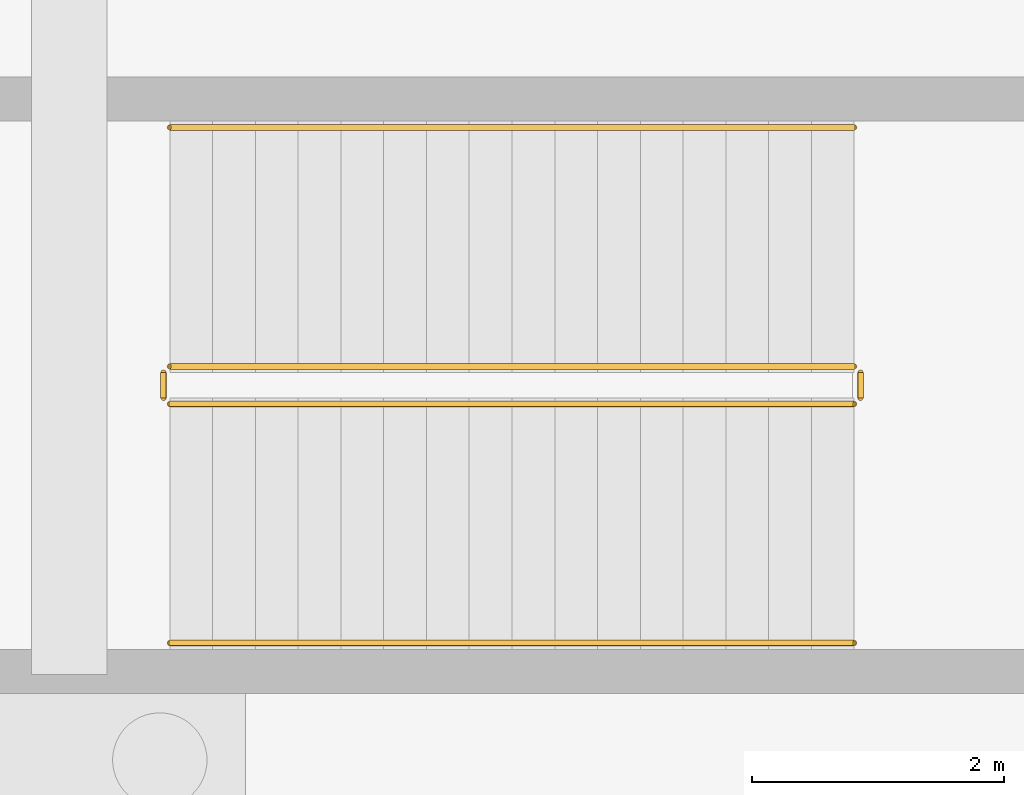
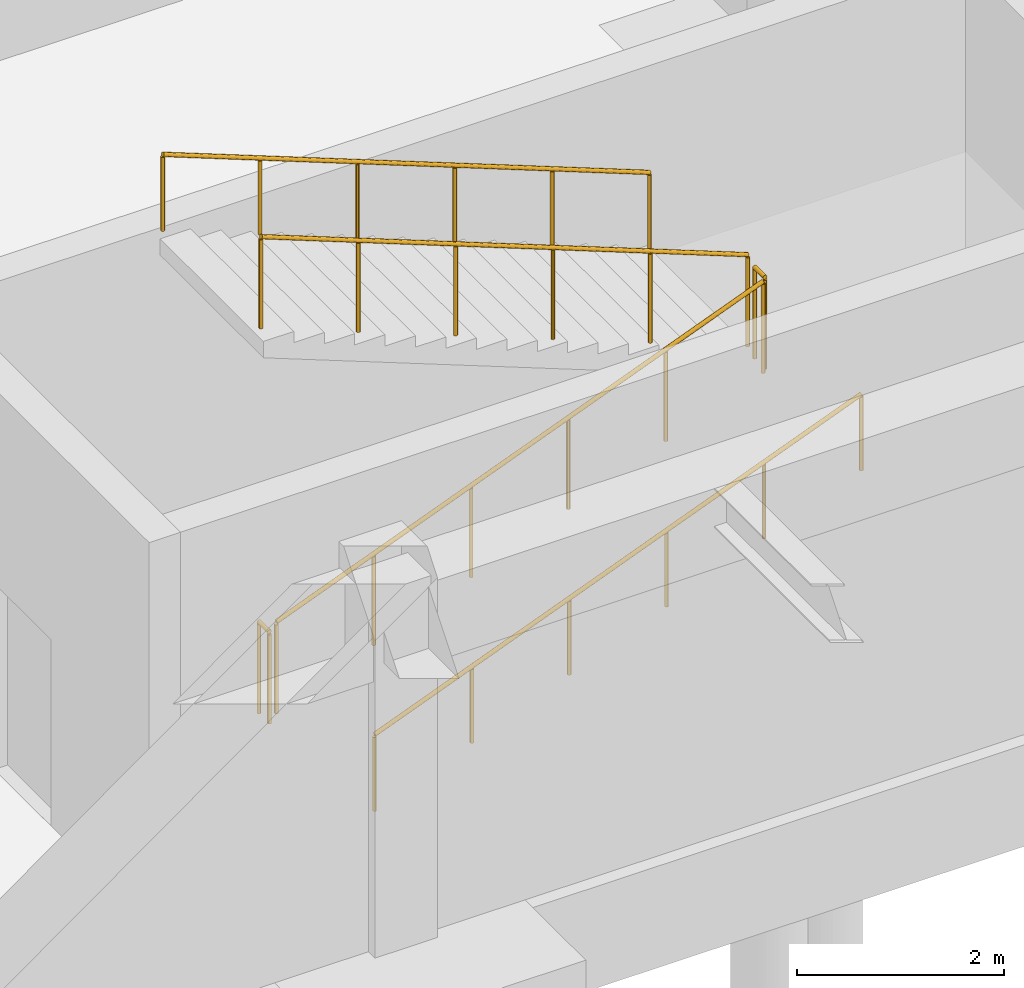
# One storey, part 25 of 33: 6 railings.
"""IFC4 building model written with IfcOpenShell, lengths in metres."""

from ifc_helpers import new_model, si_unit, direction, frame, origin, origin_2d, place, context, subcontext, project, spatial, circle, extrude, material, type_object, element, save


model = new_model("IFC4")

# Units and contexts
model_context = context("Model", 3, precision=1e-05, world=origin(), true_north=direction((0.0, 1.0)))
body_context = subcontext(model_context, "Body", "Model", "MODEL_VIEW")
ifc_project = project(units=[si_unit("LENGTHUNIT", "METRE"), si_unit("AREAUNIT", "SQUARE_METRE"), si_unit("VOLUMEUNIT", "CUBIC_METRE"), si_unit("PLANEANGLEUNIT", "RADIAN"), si_unit("MASSUNIT", "GRAM", prefix="KILO")], contexts=[model_context])

# Site, building, storey
site_placement = place(None, origin())
site = spatial("IfcSite", under=ifc_project, at=site_placement, CompositionType="ELEMENT")
building_placement = place(site_placement, origin())
building = spatial("IfcBuilding", under=site, at=building_placement, Name="Veldera Park Congress Hotel", CompositionType="ELEMENT")
storey_placement = place(building_placement, frame((0.0, 0.0, -4.5)))
storey = spatial("IfcBuildingStorey", under=building, at=storey_placement, Name="B1", CompositionType="ELEMENT", Elevation=-4.5)

# Railings
ifc_material = material(Name="Steel ASTM A992 Gr.50", Category="steel")
railing_type_1 = type_object("IfcRailingType", Name="GRD-ST110", PredefinedType="GUARDRAIL", material=ifc_material)
railing_1_placement = place(storey_placement, frame((-55.800048828125, -48.64990234375, 0.13232421875)))
element("IfcRailing", 1, at=railing_1_placement, inside=storey, type_object=railing_type_1, Name="B1 ST8 stair guard 1", PredefinedType="GUARDRAIL", context=body_context, shape_type="SweptSolid", body=[
    extrude(circle(Radius=0.02392578125, at=origin_2d()), frame((0.0, 0.0, 1.076171875), z_axis=(0.93188060822, 0.0, 0.362765119635), x_axis=(0.0, 1.0, 0.0)), (0.0, 0.0, 1.0), 5.837646484375),
    extrude(circle(Radius=0.02099609375, at=origin_2d()), origin(), (0.0, 0.0, 1.0), 1.052001953125),
    extrude(circle(Radius=0.02099609375, at=origin_2d()), frame((1.087890625, 0.0, 0.423583984375)), (0.0, 0.0, 1.0), 1.052001953125),
    extrude(circle(Radius=0.02099609375, at=origin_2d()), frame((2.176025390625, 0.0, 0.84716796875)), (0.0, 0.0, 1.0), 1.052001953125),
    extrude(circle(Radius=0.02099609375, at=origin_2d()), frame((3.263916015625, 0.0, 1.2705078125)), (0.0, 0.0, 1.0), 1.052001953125),
    extrude(circle(Radius=0.02099609375, at=origin_2d()), frame((4.35205078125, 0.0, 1.694091796875)), (0.0, 0.0, 1.0), 1.052001953125),
    extrude(circle(Radius=0.02099609375, at=origin_2d()), frame((5.43994140625, 0.0, 2.11767578125)), (0.0, 0.0, 1.0), 1.052001953125),
])
railing_2_placement = place(storey_placement, frame((-50.31005859375, -48.60009765625, 2.25)))
element("IfcRailing", 2, at=railing_2_placement, inside=storey, type_object=railing_type_1, Name="B1 ST8 stair guard 2", PredefinedType="GUARDRAIL", context=body_context, shape_type="SweptSolid", body=[
    extrude(circle(Radius=0.02392578125, at=origin_2d()), frame((0.0, 0.0, 1.076171875), z_axis=(0.0, 1.0, 0.0), x_axis=(-1.0, 0.0, 0.0)), (0.0, 0.0, 1.0), 0.2001953125),
    extrude(circle(Radius=0.02099609375, at=origin_2d()), origin(), (0.0, 0.0, 1.0), 1.052001953125),
    extrude(circle(Radius=0.02099609375, at=origin_2d()), frame((0.0, 0.2001953125, 0.0)), (0.0, 0.0, 1.0), 1.052001953125),
])
railing_3_placement = place(storey_placement, frame((-50.360107421875, -48.35009765625, 2.38232421875)))
element("IfcRailing", 3, at=railing_3_placement, inside=storey, type_object=railing_type_1, Name="B1 ST8 stair guard 3", PredefinedType="GUARDRAIL", context=body_context, shape_type="SweptSolid", body=[
    extrude(circle(Radius=0.02392578125, at=origin_2d()), frame((0.0, 0.0, 1.076171875), z_axis=(-0.93188060822, 0.0, 0.362765119635), x_axis=(0.0, -1.0, 0.0)), (0.0, 0.0, 1.0), 5.837646484375),
    extrude(circle(Radius=0.02099609375, at=origin_2d()), origin(), (0.0, 0.0, 1.0), 1.052001953125),
    extrude(circle(Radius=0.02099609375, at=origin_2d()), frame((-1.087890625, 0.0, 0.423583984375)), (0.0, 0.0, 1.0), 1.052001953125),
    extrude(circle(Radius=0.02099609375, at=origin_2d()), frame((-2.176025390625, 0.0, 0.84716796875)), (0.0, 0.0, 1.0), 1.052001953125),
    extrude(circle(Radius=0.02099609375, at=origin_2d()), frame((-3.263916015625, 0.0, 1.2705078125)), (0.0, 0.0, 1.0), 1.052001953125),
    extrude(circle(Radius=0.02099609375, at=origin_2d()), frame((-4.35205078125, 0.0, 1.694091796875)), (0.0, 0.0, 1.0), 1.052001953125),
    extrude(circle(Radius=0.02099609375, at=origin_2d()), frame((-5.43994140625, 0.0, 2.11767578125)), (0.0, 0.0, 1.0), 1.052001953125),
])
railing_4_placement = place(storey_placement, frame((-55.85009765625, -48.60009765625, 0.0)))
element("IfcRailing", 4, at=railing_4_placement, inside=storey, type_object=railing_type_1, Name="B1 ST8 stair guard 4", PredefinedType="GUARDRAIL", context=body_context, shape_type="SweptSolid", body=[
    extrude(circle(Radius=0.02392578125, at=origin_2d()), frame((0.0, 0.0, 1.076171875), z_axis=(0.0, 1.0, 0.0), x_axis=(-1.0, 0.0, 0.0)), (0.0, 0.0, 1.0), 0.2001953125),
    extrude(circle(Radius=0.02099609375, at=origin_2d()), origin(), (0.0, 0.0, 1.0), 1.052001953125),
    extrude(circle(Radius=0.02099609375, at=origin_2d()), frame((0.0, 0.2001953125, 0.0)), (0.0, 0.0, 1.0), 1.052001953125),
])
railing_type_2 = type_object("IfcRailingType", Name="HRL-920", PredefinedType="HANDRAIL", material=ifc_material)
railing_5_placement = place(storey_placement, frame((-55.800048828125, -50.550048828125, 0.13232421875)))
element("IfcRailing", 5, at=railing_5_placement, inside=storey, type_object=railing_type_2, Name="B1 ST8 stair handrail 1", PredefinedType="HANDRAIL", context=body_context, shape_type="SweptSolid", body=[
    extrude(circle(Radius=0.02392578125, at=origin_2d()), frame((0.0, 0.0, 0.89599609375), z_axis=(0.93188060822, 0.0, 0.362765119635), x_axis=(0.0, 1.0, 0.0)), (0.0, 0.0, 1.0), 5.837646484375),
    extrude(circle(Radius=0.02099609375, at=origin_2d()), origin(), (0.0, 0.0, 1.0), 0.871826171875),
    extrude(circle(Radius=0.02099609375, at=origin_2d()), frame((1.087890625, 0.0, 0.423583984375)), (0.0, 0.0, 1.0), 0.871826171875),
    extrude(circle(Radius=0.02099609375, at=origin_2d()), frame((2.176025390625, 0.0, 0.84716796875)), (0.0, 0.0, 1.0), 0.871826171875),
    extrude(circle(Radius=0.02099609375, at=origin_2d()), frame((3.263916015625, 0.0, 1.2705078125)), (0.0, 0.0, 1.0), 0.871826171875),
    extrude(circle(Radius=0.02099609375, at=origin_2d()), frame((4.35205078125, 0.0, 1.694091796875)), (0.0, 0.0, 1.0), 0.871826171875),
    extrude(circle(Radius=0.02099609375, at=origin_2d()), frame((5.43994140625, 0.0, 2.11767578125)), (0.0, 0.0, 1.0), 0.871826171875),
])
railing_6_placement = place(storey_placement, frame((-50.360107421875, -46.449951171875, 2.38232421875)))
element("IfcRailing", 6, at=railing_6_placement, inside=storey, type_object=railing_type_2, Name="B1 ST8 stair handrail 2", PredefinedType="HANDRAIL", context=body_context, shape_type="SweptSolid", body=[
    extrude(circle(Radius=0.02392578125, at=origin_2d()), frame((0.0, 0.0, 0.89599609375), z_axis=(-0.93188060822, 0.0, 0.362765119635), x_axis=(0.0, -1.0, 0.0)), (0.0, 0.0, 1.0), 5.837646484375),
    extrude(circle(Radius=0.02099609375, at=origin_2d()), origin(), (0.0, 0.0, 1.0), 0.871826171875),
    extrude(circle(Radius=0.02099609375, at=origin_2d()), frame((-1.087890625, 0.0, 0.423583984375)), (0.0, 0.0, 1.0), 0.871826171875),
    extrude(circle(Radius=0.02099609375, at=origin_2d()), frame((-2.176025390625, 0.0, 0.84716796875)), (0.0, 0.0, 1.0), 0.871826171875),
    extrude(circle(Radius=0.02099609375, at=origin_2d()), frame((-3.263916015625, 0.0, 1.2705078125)), (0.0, 0.0, 1.0), 0.871826171875),
    extrude(circle(Radius=0.02099609375, at=origin_2d()), frame((-4.35205078125, 0.0, 1.694091796875)), (0.0, 0.0, 1.0), 0.871826171875),
    extrude(circle(Radius=0.02099609375, at=origin_2d()), frame((-5.43994140625, 0.0, 2.11767578125)), (0.0, 0.0, 1.0), 0.871826171875),
])

save(model, "model.ifc")
